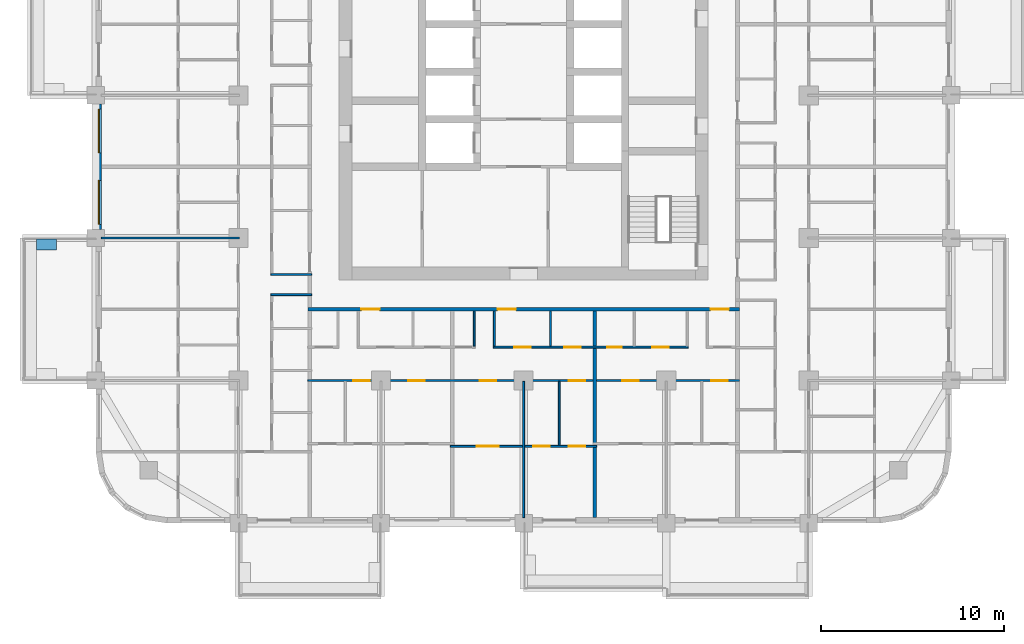
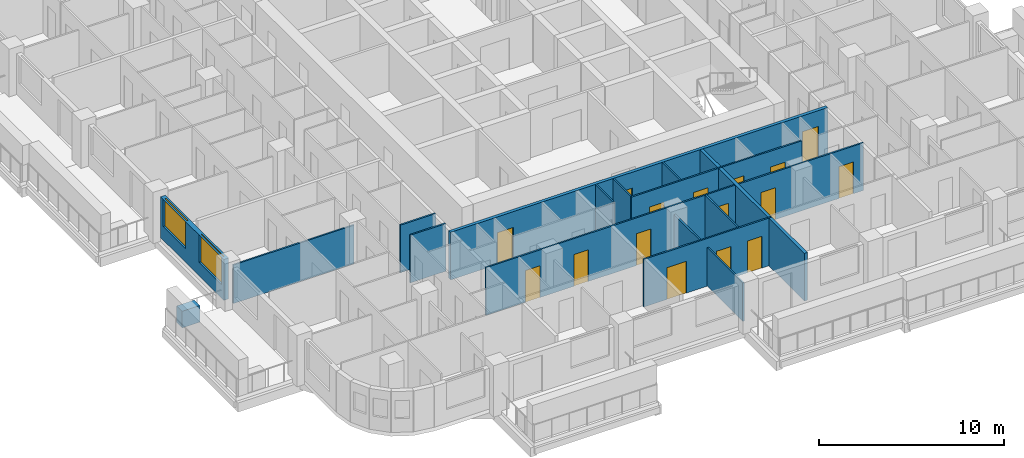
# One storey, part 4 of 18: 16 doors, 15 walls, 2 windows, 18 openings.
"""IFC4 building model written with IfcOpenShell, lengths in metres."""

from ifc_helpers import new_model, si_unit, direction, frame, frame_2d, origin, place, context, subcontext, project, spatial, rectangle, extrude, material, layer, layer_set, type_object, element, fill, save


model = new_model("IFC4")

# Units and contexts
model_context = context("Model", 3, precision=1e-05, world=origin(), true_north=direction((0.0, 1.0)))
body_context = subcontext(model_context, "Body", "Model", "MODEL_VIEW")
ifc_project = project(units=[si_unit("LENGTHUNIT", "METRE"), si_unit("AREAUNIT", "SQUARE_METRE"), si_unit("VOLUMEUNIT", "CUBIC_METRE"), si_unit("PLANEANGLEUNIT", "RADIAN"), si_unit("MASSUNIT", "GRAM", prefix="KILO")], contexts=[model_context])

# Site, building, storey
site_placement = place(None, origin())
site = spatial("IfcSite", under=ifc_project, at=site_placement, CompositionType="ELEMENT")
building_placement = place(site_placement, origin())
building = spatial("IfcBuilding", under=site, at=building_placement, Name="Ludao Terraces", CompositionType="ELEMENT")
storey_placement = place(building_placement, frame((0.0, 0.0, 75.0)))
storey = spatial("IfcBuildingStorey", under=building, at=storey_placement, Name="L20", CompositionType="ELEMENT", Elevation=75.0)

# Wall
ifc_material_1 = material(Name="Concrete C40", Category="concrete")
ifc_layer_1 = layer(ifc_material_1, 0.60009765625)
ifc_layer_set_1 = layer_set([ifc_layer_1], Name="ENV Planter trough 600")
wall_type_1 = type_object("IfcWallType", Name="ENV Planter trough 600", PredefinedType="USERDEFINED", material=ifc_layer_set_1)
wall_1_placement = place(storey_placement, frame((58.35009765625, 56.85009765625, 0.0), z_axis=(0.0, 0.0, 1.0), x_axis=(1.0, 0.0, 0.0)))
element("IfcWall", 1, at=wall_1_placement, inside=storey, type_object=wall_type_1, Name="PL-L20-W1-SB", ObjectType="PLANTER", PredefinedType="USERDEFINED", context=body_context, shape_type="SweptSolid", body=[
    extrude(rectangle(XDim=1.099853515625, YDim=0.60009765625, at=frame_2d((0.5498046875, 0.0))), origin(), (0.0, 0.0, 1.0), 1.10009765625),
])

# Wall, openings, windows
ifc_material_2 = material(Name="Granite cladding", Category="masonry")
ifc_layer_2 = layer(ifc_material_2, 0.0400390625, Category="stone")
ifc_material_3 = material(Name="Mineral wool")
ifc_layer_3 = layer(ifc_material_3, 0.06005859375)
ifc_layer_4 = layer(ifc_material_1, 0.199951171875, Category="concrete")
ifc_layer_set_2 = layer_set([ifc_layer_2, ifc_layer_3, ifc_layer_4], Name="ENV Stone-clad wall 300")
wall_type_2 = type_object("IfcWallType", Name="ENV Stone-clad wall 300", PredefinedType="SOLIDWALL", material=ifc_layer_set_2)
wall_2_placement = place(storey_placement, frame((61.75, 57.675048828125, 0.0), z_axis=(0.0, 0.0, 1.0), x_axis=(0.0, 1.0, 0.0)))
wall_2 = element("IfcWall", 2, at=wall_2_placement, inside=storey, type_object=wall_type_2, Name="EW-L20-W3", PredefinedType="SOLIDWALL", context=body_context, shape_type="SweptSolid", body=[
    extrude(rectangle(XDim=6.849853515625, YDim=0.300048828125, at=frame_2d((3.4248046875, 0.0))), origin(), (0.0, 0.0, 1.0), 2.699951171875),
])
opening_1_placement = place(wall_2_placement, frame((0.27490234375, 0.0, 0.89990234375)))
opening_1 = element("IfcOpeningElement", 3, at=opening_1_placement, cuts=wall_2, Name="Opening W1", PredefinedType="OPENING", context=body_context, shape_type="SweptSolid", body=[
    extrude(rectangle(XDim=2.39990234375, YDim=1.800048828125, at=frame_2d((1.199951171875, 0.89990234375))), frame((0.0, 0.16015625, 0.0), z_axis=(0.0, -1.0, 0.0), x_axis=(1.0, 0.0, 0.0)), (0.0, 0.0, 1.0), 0.320068359375),
])
opening_2_placement = place(wall_2_placement, frame((4.175048828125, 0.0, 0.89990234375)))
opening_2 = element("IfcOpeningElement", 4, at=opening_2_placement, cuts=wall_2, Name="Opening W1", PredefinedType="OPENING", context=body_context, shape_type="SweptSolid", body=[
    extrude(rectangle(XDim=2.39990234375, YDim=1.800048828125, at=frame_2d((1.199951171875, 0.89990234375))), frame((0.0, 0.16015625, 0.0), z_axis=(0.0, -1.0, 0.0), x_axis=(1.0, 0.0, 0.0)), (0.0, 0.0, 1.0), 0.320068359375),
])
ifc_material_4 = material(Name="Clear glass in aluminium frame", Category="aluminium")
ifc_layer_5 = layer(ifc_material_4, 0.06005859375)
ifc_layer_set_3 = layer_set([ifc_layer_5], Name="ENV Window W1 2400x1800")
window_type = type_object("IfcWindowType", Name="ENV Window W1 2400x1800", PartitioningType="DOUBLE_PANEL_VERTICAL", PredefinedType="WINDOW", material=ifc_layer_set_3)
window_1_placement = place(opening_1_placement, origin())
window_1 = element("IfcWindow", 5, at=window_1_placement, inside=storey, type_object=window_type, Name="W-L20-W3-1", OverallHeight=1.800048828125, OverallWidth=2.39990234375, PartitioningType="DOUBLE_PANEL_VERTICAL", PredefinedType="WINDOW", context=body_context, shape_type="SweptSolid", body=[
    extrude(rectangle(XDim=2.39990234375, YDim=1.800048828125, at=frame_2d((1.199951171875, 0.89990234375))), frame((0.0, 0.030029296875, 0.0), z_axis=(0.0, -1.0, 0.0), x_axis=(1.0, 0.0, 0.0)), (0.0, 0.0, 1.0), 0.06005859375),
])
fill(opening_1, window_1)
window_2_placement = place(opening_2_placement, origin())
window_2 = element("IfcWindow", 6, at=window_2_placement, inside=storey, type_object=window_type, Name="W-L20-W3-2", OverallHeight=1.800048828125, OverallWidth=2.39990234375, PartitioningType="DOUBLE_PANEL_VERTICAL", PredefinedType="WINDOW", context=body_context, shape_type="SweptSolid", body=[
    extrude(rectangle(XDim=2.39990234375, YDim=1.800048828125, at=frame_2d((1.199951171875, 0.89990234375))), frame((0.0, 0.030029296875, 0.0), z_axis=(0.0, -1.0, 0.0), x_axis=(1.0, 0.0, 0.0)), (0.0, 0.0, 1.0), 0.06005859375),
])
fill(opening_2, window_2)

# Wall, openings, doors
ifc_material_5 = material(Name="Autoclaved aerated concrete block B06 A3.5", Category="concrete")
ifc_layer_6 = layer(ifc_material_5, 0.199951171875)
ifc_layer_set_4 = layer_set([ifc_layer_6], Name="INT Entrance wall 200")
wall_type_3 = type_object("IfcWallType", Name="INT Entrance wall 200", PredefinedType="PARTITIONING", material=ifc_layer_set_4)
wall_3_placement = place(storey_placement, frame((73.2001953125, 53.300048828125, 0.0), z_axis=(0.0, 0.0, 1.0), x_axis=(1.0, 0.0, 0.0)))
wall_3 = element("IfcWall", 7, at=wall_3_placement, inside=storey, type_object=wall_type_3, Name="PW-L20-PW020", PredefinedType="PARTITIONING", context=body_context, shape_type="SweptSolid", body=[
    extrude(rectangle(XDim=23.599853515625, YDim=0.199951171875, at=frame_2d((11.7998046875, 0.0))), origin(), (0.0, 0.0, 1.0), 3.14990234375),
])
opening_3_placement = place(wall_3_placement, frame((2.9248046875, 0.0, 0.0)))
opening_3 = element("IfcOpeningElement", 8, at=opening_3_placement, cuts=wall_3, Name="Opening R06-048", PredefinedType="OPENING", context=body_context, shape_type="SweptSolid", body=[
    extrude(rectangle(XDim=1.0, YDim=2.10009765625, at=frame_2d((0.5, 1.050048828125))), frame((0.0, 0.10986328125, 0.0), z_axis=(0.0, -1.0, 0.0), x_axis=(1.0, 0.0, 0.0)), (0.0, 0.0, 1.0), 0.219970703125),
])
opening_4_placement = place(wall_3_placement, frame((10.375, 0.0, 0.0)))
opening_4 = element("IfcOpeningElement", 9, at=opening_4_placement, cuts=wall_3, Name="Opening R06-049", PredefinedType="OPENING", context=body_context, shape_type="SweptSolid", body=[
    extrude(rectangle(XDim=1.0, YDim=2.10009765625, at=frame_2d((0.5, 1.050048828125))), frame((0.0, 0.10986328125, 0.0), z_axis=(0.0, -1.0, 0.0), x_axis=(1.0, 0.0, 0.0)), (0.0, 0.0, 1.0), 0.219970703125),
])
opening_5_placement = place(wall_3_placement, frame((22.02490234375, 0.0, 0.0)))
opening_5 = element("IfcOpeningElement", 10, at=opening_5_placement, cuts=wall_3, Name="Opening R06-050", PredefinedType="OPENING", context=body_context, shape_type="SweptSolid", body=[
    extrude(rectangle(XDim=1.0, YDim=2.10009765625, at=frame_2d((0.5, 1.050048828125))), frame((0.0, 0.10986328125, 0.0), z_axis=(0.0, -1.0, 0.0), x_axis=(1.0, 0.0, 0.0)), (0.0, 0.0, 1.0), 0.219970703125),
])
ifc_material_6 = material(Name="Steel Q235", Category="steel")
door_type_1 = type_object("IfcDoorType", Name="INT Flat entrance door 1000", OperationType="SINGLE_SWING_LEFT", PredefinedType="DOOR", material=ifc_material_6)
door_1_placement = place(opening_3_placement, origin())
door_1 = element("IfcDoor", 11, at=door_1_placement, inside=storey, type_object=door_type_1, Name="DOOR 048", OperationType="SINGLE_SWING_LEFT", OverallHeight=2.10009765625, OverallWidth=1.0, PredefinedType="DOOR", context=body_context, shape_type="SweptSolid", body=[
    extrude(rectangle(XDim=1.0, YDim=2.10009765625, at=frame_2d((0.5, 1.050048828125))), frame((0.0, 0.02490234375, 0.0), z_axis=(0.0, -1.0, 0.0), x_axis=(1.0, 0.0, 0.0)), (0.0, 0.0, 1.0), 0.050048828125),
])
fill(opening_3, door_1)
door_2_placement = place(opening_4_placement, origin())
door_2 = element("IfcDoor", 12, at=door_2_placement, inside=storey, type_object=door_type_1, Name="DOOR 049", OperationType="SINGLE_SWING_LEFT", OverallHeight=2.10009765625, OverallWidth=1.0, PredefinedType="DOOR", context=body_context, shape_type="SweptSolid", body=[
    extrude(rectangle(XDim=1.0, YDim=2.10009765625, at=frame_2d((0.5, 1.050048828125))), frame((0.0, 0.02490234375, 0.0), z_axis=(0.0, -1.0, 0.0), x_axis=(1.0, 0.0, 0.0)), (0.0, 0.0, 1.0), 0.050048828125),
])
fill(opening_4, door_2)
door_3_placement = place(opening_5_placement, origin())
door_3 = element("IfcDoor", 13, at=door_3_placement, inside=storey, type_object=door_type_1, Name="DOOR 050", OperationType="SINGLE_SWING_LEFT", OverallHeight=2.10009765625, OverallWidth=1.0, PredefinedType="DOOR", context=body_context, shape_type="SweptSolid", body=[
    extrude(rectangle(XDim=1.0, YDim=2.10009765625, at=frame_2d((0.5, 1.050048828125))), frame((0.0, 0.02490234375, 0.0), z_axis=(0.0, -1.0, 0.0), x_axis=(1.0, 0.0, 0.0)), (0.0, 0.0, 1.0), 0.050048828125),
])
fill(opening_5, door_3)

ifc_material_7 = material(Name="Gypsum plasterboard", Category="gypsum")
ifc_layer_7 = layer(ifc_material_7, 0.012451171875, Category="gypsum")
ifc_layer_8 = layer(ifc_material_3, 0.06005859375, Name="insulation")
ifc_layer_9 = layer(ifc_material_6, 0.014892578125, Name="stud")
ifc_layer_10 = layer(ifc_material_7, 0.012451171875, Category="gypsum")
ifc_layer_set_5 = layer_set([ifc_layer_7, ifc_layer_8, ifc_layer_9, ifc_layer_10], Name="INT Partition 100")
wall_type_4 = type_object("IfcWallType", Name="INT Partition 100", PredefinedType="PARTITIONING", material=ifc_layer_set_5)
wall_4_placement = place(storey_placement, frame((81.0, 45.800048828125, 0.0), z_axis=(0.0, 0.0, 1.0), x_axis=(1.0, 0.0, 0.0)))
wall_4 = element("IfcWall", 14, at=wall_4_placement, inside=storey, type_object=wall_type_4, Name="PW-L20-PW002", PredefinedType="PARTITIONING", context=body_context, shape_type="SweptSolid", body=[
    extrude(rectangle(XDim=8.0, YDim=0.10009765625, at=frame_2d((4.0, 0.0))), origin(), (0.0, 0.0, 1.0), 3.14990234375),
])
opening_6_placement = place(wall_4_placement, frame((1.4501953125, 0.0, 0.0)))
opening_6 = element("IfcOpeningElement", 15, at=opening_6_placement, cuts=wall_4, Name="Opening R06-007", PredefinedType="OPENING", context=body_context, shape_type="SweptSolid", body=[
    extrude(rectangle(XDim=1.199951171875, YDim=2.10009765625, at=frame_2d((0.60009765625, 1.050048828125))), frame((0.0, 0.06005859375, 0.0), z_axis=(0.0, -1.0, 0.0), x_axis=(1.0, 0.0, 0.0)), (0.0, 0.0, 1.0), 0.1201171875),
])
opening_7_placement = place(wall_4_placement, frame((4.525146484375, 0.0, 0.0)))
opening_7 = element("IfcOpeningElement", 16, at=opening_7_placement, cuts=wall_4, Name="Opening R06-008", PredefinedType="OPENING", context=body_context, shape_type="SweptSolid", body=[
    extrude(rectangle(XDim=0.89990234375, YDim=2.10009765625, at=frame_2d((0.449951171875, 1.050048828125))), frame((0.0, 0.06005859375, 0.0), z_axis=(0.0, -1.0, 0.0), x_axis=(1.0, 0.0, 0.0)), (0.0, 0.0, 1.0), 0.1201171875),
])
opening_8_placement = place(wall_4_placement, frame((6.47509765625, 0.0, 0.0)))
opening_8 = element("IfcOpeningElement", 17, at=opening_8_placement, cuts=wall_4, Name="Opening R06-009", PredefinedType="OPENING", context=body_context, shape_type="SweptSolid", body=[
    extrude(rectangle(XDim=0.89990234375, YDim=2.10009765625, at=frame_2d((0.449951171875, 1.050048828125))), frame((0.0, 0.06005859375, 0.0), z_axis=(0.0, -1.0, 0.0), x_axis=(1.0, 0.0, 0.0)), (0.0, 0.0, 1.0), 0.1201171875),
])
ifc_material_8 = material(Name="Timber door leaf", Category="wood")
door_type_2 = type_object("IfcDoorType", Name="INT Bathroom door 900", OperationType="SINGLE_SWING_LEFT", PredefinedType="DOOR", material=ifc_material_8)
door_4_placement = place(opening_7_placement, origin())
door_4 = element("IfcDoor", 18, at=door_4_placement, inside=storey, type_object=door_type_2, Name="DOOR 008", OperationType="SINGLE_SWING_LEFT", OverallHeight=2.10009765625, OverallWidth=0.89990234375, PredefinedType="DOOR", context=body_context, shape_type="SweptSolid", body=[
    extrude(rectangle(XDim=0.89990234375, YDim=2.10009765625, at=frame_2d((0.449951171875, 1.050048828125))), frame((0.0, 0.02490234375, 0.0), z_axis=(0.0, -1.0, 0.0), x_axis=(1.0, 0.0, 0.0)), (0.0, 0.0, 1.0), 0.050048828125),
])
fill(opening_7, door_4)
door_type_3 = type_object("IfcDoorType", Name="INT Double door 1200", OperationType="DOUBLE_DOOR_SINGLE_SWING", PredefinedType="DOOR", material=ifc_material_8)
door_5_placement = place(opening_6_placement, origin())
door_5 = element("IfcDoor", 19, at=door_5_placement, inside=storey, type_object=door_type_3, Name="DOOR 007", OperationType="DOUBLE_DOOR_SINGLE_SWING", OverallHeight=2.10009765625, OverallWidth=1.199951171875, PredefinedType="DOOR", context=body_context, shape_type="SweptSolid", body=[
    extrude(rectangle(XDim=1.199951171875, YDim=2.10009765625, at=frame_2d((0.60009765625, 1.050048828125))), frame((0.0, 0.02490234375, 0.0), z_axis=(0.0, -1.0, 0.0), x_axis=(1.0, 0.0, 0.0)), (0.0, 0.0, 1.0), 0.050048828125),
])
fill(opening_6, door_5)
door_type_4 = type_object("IfcDoorType", Name="INT Room door 900", OperationType="SINGLE_SWING_LEFT", PredefinedType="DOOR", material=ifc_material_8)
door_6_placement = place(opening_8_placement, origin())
door_6 = element("IfcDoor", 20, at=door_6_placement, inside=storey, type_object=door_type_4, Name="DOOR 009", OperationType="SINGLE_SWING_RIGHT", OverallHeight=2.10009765625, OverallWidth=0.89990234375, PredefinedType="DOOR", context=body_context, shape_type="SweptSolid", body=[
    extrude(rectangle(XDim=0.89990234375, YDim=2.10009765625, at=frame_2d((0.449951171875, 1.050048828125))), frame((0.0, 0.02490234375, 0.0), z_axis=(0.0, -1.0, 0.0), x_axis=(1.0, 0.0, 0.0)), (0.0, 0.0, 1.0), 0.050048828125),
])
fill(opening_8, door_6)

wall_5_placement = place(storey_placement, frame((73.2001953125, 49.39990234375, 0.0), z_axis=(0.0, 0.0, 1.0), x_axis=(1.0, 0.0, 0.0)))
wall_5 = element("IfcWall", 21, at=wall_5_placement, inside=storey, type_object=wall_type_4, Name="PW-L20-PW009", PredefinedType="PARTITIONING", context=body_context, shape_type="SweptSolid", body=[
    extrude(rectangle(XDim=23.599853515625, YDim=0.10009765625, at=frame_2d((11.7998046875, 0.0))), origin(), (0.0, 0.0, 1.0), 3.14990234375),
])
opening_9_placement = place(wall_5_placement, frame((2.474853515625, 0.0, 0.0)))
opening_9 = element("IfcOpeningElement", 22, at=opening_9_placement, cuts=wall_5, Name="Opening R06-024", PredefinedType="OPENING", context=body_context, shape_type="SweptSolid", body=[
    extrude(rectangle(XDim=0.89990234375, YDim=2.10009765625, at=frame_2d((0.449951171875, 1.050048828125))), frame((0.0, 0.06005859375, 0.0), z_axis=(0.0, -1.0, 0.0), x_axis=(1.0, 0.0, 0.0)), (0.0, 0.0, 1.0), 0.1201171875),
])
opening_10_placement = place(wall_5_placement, frame((5.5, 0.0, 0.0)))
opening_10 = element("IfcOpeningElement", 23, at=opening_10_placement, cuts=wall_5, Name="Opening R06-025", PredefinedType="OPENING", context=body_context, shape_type="SweptSolid", body=[
    extrude(rectangle(XDim=0.89990234375, YDim=2.10009765625, at=frame_2d((0.449951171875, 1.050048828125))), frame((0.0, 0.06005859375, 0.0), z_axis=(0.0, -1.0, 0.0), x_axis=(1.0, 0.0, 0.0)), (0.0, 0.0, 1.0), 0.1201171875),
])
opening_11_placement = place(wall_5_placement, frame((9.39990234375, 0.0, 0.0)))
opening_11 = element("IfcOpeningElement", 24, at=opening_11_placement, cuts=wall_5, Name="Opening R06-026", PredefinedType="OPENING", context=body_context, shape_type="SweptSolid", body=[
    extrude(rectangle(XDim=0.89990234375, YDim=2.10009765625, at=frame_2d((0.449951171875, 1.050048828125))), frame((0.0, 0.06005859375, 0.0), z_axis=(0.0, -1.0, 0.0), x_axis=(1.0, 0.0, 0.0)), (0.0, 0.0, 1.0), 0.1201171875),
])
opening_12_placement = place(wall_5_placement, frame((14.27490234375, 0.0, 0.0)))
opening_12 = element("IfcOpeningElement", 25, at=opening_12_placement, cuts=wall_5, Name="Opening R06-027", PredefinedType="OPENING", context=body_context, shape_type="SweptSolid", body=[
    extrude(rectangle(XDim=0.89990234375, YDim=2.10009765625, at=frame_2d((0.449951171875, 1.050048828125))), frame((0.0, 0.06005859375, 0.0), z_axis=(0.0, -1.0, 0.0), x_axis=(1.0, 0.0, 0.0)), (0.0, 0.0, 1.0), 0.1201171875),
])
opening_13_placement = place(wall_5_placement, frame((17.199951171875, 0.0, 0.0)))
opening_13 = element("IfcOpeningElement", 26, at=opening_13_placement, cuts=wall_5, Name="Opening R06-028", PredefinedType="OPENING", context=body_context, shape_type="SweptSolid", body=[
    extrude(rectangle(XDim=0.89990234375, YDim=2.10009765625, at=frame_2d((0.449951171875, 1.050048828125))), frame((0.0, 0.06005859375, 0.0), z_axis=(0.0, -1.0, 0.0), x_axis=(1.0, 0.0, 0.0)), (0.0, 0.0, 1.0), 0.1201171875),
])
opening_14_placement = place(wall_5_placement, frame((22.074951171875, 0.0, 0.0)))
opening_14 = element("IfcOpeningElement", 27, at=opening_14_placement, cuts=wall_5, Name="Opening R06-029", PredefinedType="OPENING", context=body_context, shape_type="SweptSolid", body=[
    extrude(rectangle(XDim=0.89990234375, YDim=2.10009765625, at=frame_2d((0.449951171875, 1.050048828125))), frame((0.0, 0.06005859375, 0.0), z_axis=(0.0, -1.0, 0.0), x_axis=(1.0, 0.0, 0.0)), (0.0, 0.0, 1.0), 0.1201171875),
])
door_7_placement = place(opening_9_placement, origin())
door_7 = element("IfcDoor", 28, at=door_7_placement, inside=storey, type_object=door_type_4, Name="DOOR 024", OperationType="SINGLE_SWING_RIGHT", OverallHeight=2.10009765625, OverallWidth=0.89990234375, PredefinedType="DOOR", context=body_context, shape_type="SweptSolid", body=[
    extrude(rectangle(XDim=0.89990234375, YDim=2.10009765625, at=frame_2d((0.449951171875, 1.050048828125))), frame((0.0, 0.02490234375, 0.0), z_axis=(0.0, -1.0, 0.0), x_axis=(1.0, 0.0, 0.0)), (0.0, 0.0, 1.0), 0.050048828125),
])
fill(opening_9, door_7)
door_8_placement = place(opening_10_placement, origin())
door_8 = element("IfcDoor", 29, at=door_8_placement, inside=storey, type_object=door_type_4, Name="DOOR 025", OperationType="SINGLE_SWING_RIGHT", OverallHeight=2.10009765625, OverallWidth=0.89990234375, PredefinedType="DOOR", context=body_context, shape_type="SweptSolid", body=[
    extrude(rectangle(XDim=0.89990234375, YDim=2.10009765625, at=frame_2d((0.449951171875, 1.050048828125))), frame((0.0, 0.02490234375, 0.0), z_axis=(0.0, -1.0, 0.0), x_axis=(1.0, 0.0, 0.0)), (0.0, 0.0, 1.0), 0.050048828125),
])
fill(opening_10, door_8)
door_9_placement = place(opening_11_placement, origin())
door_9 = element("IfcDoor", 30, at=door_9_placement, inside=storey, type_object=door_type_4, Name="DOOR 026", OperationType="SINGLE_SWING_RIGHT", OverallHeight=2.10009765625, OverallWidth=0.89990234375, PredefinedType="DOOR", context=body_context, shape_type="SweptSolid", body=[
    extrude(rectangle(XDim=0.89990234375, YDim=2.10009765625, at=frame_2d((0.449951171875, 1.050048828125))), frame((0.0, 0.02490234375, 0.0), z_axis=(0.0, -1.0, 0.0), x_axis=(1.0, 0.0, 0.0)), (0.0, 0.0, 1.0), 0.050048828125),
])
fill(opening_11, door_9)
door_10_placement = place(opening_12_placement, origin())
door_10 = element("IfcDoor", 31, at=door_10_placement, inside=storey, type_object=door_type_4, Name="DOOR 027", OperationType="SINGLE_SWING_LEFT", OverallHeight=2.10009765625, OverallWidth=0.89990234375, PredefinedType="DOOR", context=body_context, shape_type="SweptSolid", body=[
    extrude(rectangle(XDim=0.89990234375, YDim=2.10009765625, at=frame_2d((0.449951171875, 1.050048828125))), frame((0.0, 0.02490234375, 0.0), z_axis=(0.0, -1.0, 0.0), x_axis=(1.0, 0.0, 0.0)), (0.0, 0.0, 1.0), 0.050048828125),
])
fill(opening_12, door_10)
door_11_placement = place(opening_13_placement, origin())
door_11 = element("IfcDoor", 32, at=door_11_placement, inside=storey, type_object=door_type_4, Name="DOOR 028", OperationType="SINGLE_SWING_LEFT", OverallHeight=2.10009765625, OverallWidth=0.89990234375, PredefinedType="DOOR", context=body_context, shape_type="SweptSolid", body=[
    extrude(rectangle(XDim=0.89990234375, YDim=2.10009765625, at=frame_2d((0.449951171875, 1.050048828125))), frame((0.0, 0.02490234375, 0.0), z_axis=(0.0, -1.0, 0.0), x_axis=(1.0, 0.0, 0.0)), (0.0, 0.0, 1.0), 0.050048828125),
])
fill(opening_13, door_11)
door_12_placement = place(opening_14_placement, origin())
door_12 = element("IfcDoor", 33, at=door_12_placement, inside=storey, type_object=door_type_4, Name="DOOR 029", OperationType="SINGLE_SWING_LEFT", OverallHeight=2.10009765625, OverallWidth=0.89990234375, PredefinedType="DOOR", context=body_context, shape_type="SweptSolid", body=[
    extrude(rectangle(XDim=0.89990234375, YDim=2.10009765625, at=frame_2d((0.449951171875, 1.050048828125))), frame((0.0, 0.02490234375, 0.0), z_axis=(0.0, -1.0, 0.0), x_axis=(1.0, 0.0, 0.0)), (0.0, 0.0, 1.0), 0.050048828125),
])
fill(opening_14, door_12)

wall_6_placement = place(storey_placement, frame((83.35009765625, 51.22998046875, 0.0), z_axis=(0.0, 0.0, 1.0), x_axis=(1.0, 0.0, 0.0)))
wall_6 = element("IfcWall", 34, at=wall_6_placement, inside=storey, type_object=wall_type_4, Name="PW-L20-PW015", PredefinedType="PARTITIONING", context=body_context, shape_type="SweptSolid", body=[
    extrude(rectangle(XDim=10.64990234375, YDim=0.10009765625, at=frame_2d((5.324951171875, 0.0))), origin(), (0.0, 0.0, 1.0), 3.14990234375),
])
opening_15_placement = place(wall_6_placement, frame((1.135009765625, 0.0, 0.0)))
opening_15 = element("IfcOpeningElement", 35, at=opening_15_placement, cuts=wall_6, Name="Opening R06-037", PredefinedType="OPENING", context=body_context, shape_type="SweptSolid", body=[
    extrude(rectangle(XDim=0.89990234375, YDim=2.10009765625, at=frame_2d((0.449951171875, 1.050048828125))), frame((0.0, 0.06005859375, 0.0), z_axis=(0.0, -1.0, 0.0), x_axis=(1.0, 0.0, 0.0)), (0.0, 0.0, 1.0), 0.1201171875),
])
opening_16_placement = place(wall_6_placement, frame((3.885009765625, 0.0, 0.0)))
opening_16 = element("IfcOpeningElement", 36, at=opening_16_placement, cuts=wall_6, Name="Opening R06-038", PredefinedType="OPENING", context=body_context, shape_type="SweptSolid", body=[
    extrude(rectangle(XDim=0.89990234375, YDim=2.10009765625, at=frame_2d((0.449951171875, 1.050048828125))), frame((0.0, 0.06005859375, 0.0), z_axis=(0.0, -1.0, 0.0), x_axis=(1.0, 0.0, 0.0)), (0.0, 0.0, 1.0), 0.1201171875),
])
opening_17_placement = place(wall_6_placement, frame((6.22509765625, 0.0, 0.0)))
opening_17 = element("IfcOpeningElement", 37, at=opening_17_placement, cuts=wall_6, Name="Opening R06-039", PredefinedType="OPENING", context=body_context, shape_type="SweptSolid", body=[
    extrude(rectangle(XDim=0.800048828125, YDim=2.10009765625, at=frame_2d((0.39990234375, 1.050048828125))), frame((0.0, 0.06005859375, 0.0), z_axis=(0.0, -1.0, 0.0), x_axis=(1.0, 0.0, 0.0)), (0.0, 0.0, 1.0), 0.1201171875),
])
opening_18_placement = place(wall_6_placement, frame((8.699951171875, 0.0, 0.0)))
opening_18 = element("IfcOpeningElement", 38, at=opening_18_placement, cuts=wall_6, Name="Opening R06-040", PredefinedType="OPENING", context=body_context, shape_type="SweptSolid", body=[
    extrude(rectangle(XDim=0.89990234375, YDim=2.10009765625, at=frame_2d((0.449951171875, 1.050048828125))), frame((0.0, 0.06005859375, 0.0), z_axis=(0.0, -1.0, 0.0), x_axis=(1.0, 0.0, 0.0)), (0.0, 0.0, 1.0), 0.1201171875),
])
door_13_placement = place(opening_16_placement, origin())
door_13 = element("IfcDoor", 39, at=door_13_placement, inside=storey, type_object=door_type_2, Name="DOOR 038", OperationType="SINGLE_SWING_RIGHT", OverallHeight=2.10009765625, OverallWidth=0.89990234375, PredefinedType="DOOR", context=body_context, shape_type="SweptSolid", body=[
    extrude(rectangle(XDim=0.89990234375, YDim=2.10009765625, at=frame_2d((0.449951171875, 1.050048828125))), frame((0.0, 0.02490234375, 0.0), z_axis=(0.0, -1.0, 0.0), x_axis=(1.0, 0.0, 0.0)), (0.0, 0.0, 1.0), 0.050048828125),
])
fill(opening_16, door_13)
door_14_placement = place(opening_15_placement, origin())
door_14 = element("IfcDoor", 40, at=door_14_placement, inside=storey, type_object=door_type_4, Name="DOOR 037", OperationType="SINGLE_SWING_LEFT", OverallHeight=2.10009765625, OverallWidth=0.89990234375, PredefinedType="DOOR", context=body_context, shape_type="SweptSolid", body=[
    extrude(rectangle(XDim=0.89990234375, YDim=2.10009765625, at=frame_2d((0.449951171875, 1.050048828125))), frame((0.0, 0.02490234375, 0.0), z_axis=(0.0, -1.0, 0.0), x_axis=(1.0, 0.0, 0.0)), (0.0, 0.0, 1.0), 0.050048828125),
])
fill(opening_15, door_14)
door_15_placement = place(opening_18_placement, origin())
door_15 = element("IfcDoor", 41, at=door_15_placement, inside=storey, type_object=door_type_4, Name="DOOR 040", OperationType="SINGLE_SWING_LEFT", OverallHeight=2.10009765625, OverallWidth=0.89990234375, PredefinedType="DOOR", context=body_context, shape_type="SweptSolid", body=[
    extrude(rectangle(XDim=0.89990234375, YDim=2.10009765625, at=frame_2d((0.449951171875, 1.050048828125))), frame((0.0, 0.02490234375, 0.0), z_axis=(0.0, -1.0, 0.0), x_axis=(1.0, 0.0, 0.0)), (0.0, 0.0, 1.0), 0.050048828125),
])
fill(opening_18, door_15)
door_type_5 = type_object("IfcDoorType", Name="INT Store door 800", OperationType="SINGLE_SWING_LEFT", PredefinedType="DOOR", material=ifc_material_8)
door_16_placement = place(opening_17_placement, origin())
door_16 = element("IfcDoor", 42, at=door_16_placement, inside=storey, type_object=door_type_5, Name="DOOR 039", OperationType="SINGLE_SWING_LEFT", OverallHeight=2.10009765625, OverallWidth=0.800048828125, PredefinedType="DOOR", context=body_context, shape_type="SweptSolid", body=[
    extrude(rectangle(XDim=0.800048828125, YDim=2.10009765625, at=frame_2d((0.39990234375, 1.050048828125))), frame((0.0, 0.02490234375, 0.0), z_axis=(0.0, -1.0, 0.0), x_axis=(1.0, 0.0, 0.0)), (0.0, 0.0, 1.0), 0.050048828125),
])
fill(opening_17, door_16)

# Walls
for number, where, z_axis, x_axis, name in (
    (43, (71.18017578125, 54.10009765625, 0.0), (0.0, 0.0, 1.0), (1.0, 0.0, 0.0), "PW-L20-PW023"),
    (44, (71.18017578125, 55.199951171875, 0.0), (0.0, 0.0, 1.0), (1.0, 0.0, 0.0), "PW-L20-PW025"),
):
    element("IfcWall", number, at=place(storey_placement, frame(where, z_axis=z_axis, x_axis=x_axis)), inside=storey, type_object=wall_type_4, Name=name, PredefinedType="PARTITIONING", context=body_context, shape_type="SweptSolid", body=[
        extrude(rectangle(XDim=2.219970703125, YDim=0.10009765625, at=frame_2d((1.10986328125, 0.0))), origin(), (0.0, 0.0, 1.0), 3.14990234375),
    ])
wall_7_placement = place(storey_placement, frame((61.900146484375, 57.199951171875, 0.0), z_axis=(0.0, 0.0, 1.0), x_axis=(1.0, 0.0, 0.0)))
element("IfcWall", 45, at=wall_7_placement, inside=storey, type_object=wall_type_4, Name="PW-L20-PW027", PredefinedType="PARTITIONING", context=body_context, shape_type="SweptSolid", body=[
    extrude(rectangle(XDim=7.550048828125, YDim=0.10009765625, at=frame_2d((3.77490234375, 0.0))), origin(), (0.0, 0.0, 1.0), 2.550048828125),
])
for number, where, z_axis, x_axis, name in (
    (46, (82.300048828125, 51.280029296875, 0.0), (0.0, 0.0, 1.0), (0.0, 1.0, 0.0), "PW-L20-PW100"),
    (47, (83.39990234375, 51.280029296875, 0.0), (0.0, 0.0, 1.0), (0.0, 1.0, 0.0), "PW-L20-PW101"),
):
    element("IfcWall", number, at=place(storey_placement, frame(where, z_axis=z_axis, x_axis=x_axis)), inside=storey, type_object=wall_type_4, Name=name, PredefinedType="PARTITIONING", context=body_context, shape_type="SweptSolid", body=[
        extrude(rectangle(XDim=1.920166015625, YDim=0.10009765625, at=frame_2d((0.9599609375, 0.0))), origin(), (0.0, 0.0, 1.0), 3.14990234375),
    ])
wall_8_placement = place(storey_placement, frame((85.0, 41.900146484375, 0.0), z_axis=(0.0, 0.0, 1.0), x_axis=(0.0, 1.0, 0.0)))
element("IfcWall", 48, at=wall_8_placement, inside=storey, type_object=wall_type_4, Name="PW-L20-PW102", PredefinedType="PARTITIONING", context=body_context, shape_type="SweptSolid", body=[
    extrude(rectangle(XDim=7.449951171875, YDim=0.10009765625, at=frame_2d((3.72509765625, 0.0))), origin(), (0.0, 0.0, 1.0), 2.550048828125),
])
wall_9_placement = place(storey_placement, frame((86.469970703125, 51.280029296875, 0.0), z_axis=(0.0, 0.0, 1.0), x_axis=(0.0, 1.0, 0.0)))
element("IfcWall", 49, at=wall_9_placement, inside=storey, type_object=wall_type_4, Name="PW-L20-PW105", PredefinedType="PARTITIONING", context=body_context, shape_type="SweptSolid", body=[
    extrude(rectangle(XDim=1.920166015625, YDim=0.10009765625, at=frame_2d((0.9599609375, 0.0))), origin(), (0.0, 0.0, 1.0), 3.14990234375),
])
wall_10_placement = place(storey_placement, frame((86.949951171875, 45.85009765625, 0.0), z_axis=(0.0, 0.0, 1.0), x_axis=(0.0, 1.0, 0.0)))
element("IfcWall", 50, at=wall_10_placement, inside=storey, type_object=wall_type_4, Name="PW-L20-PW106", PredefinedType="PARTITIONING", context=body_context, shape_type="SweptSolid", body=[
    extrude(rectangle(XDim=3.5, YDim=0.10009765625, at=frame_2d((1.75, 0.0))), origin(), (0.0, 0.0, 1.0), 3.14990234375),
])
ifc_layer_11 = layer(ifc_material_5, 0.199951171875)
ifc_layer_set_6 = layer_set([ifc_layer_11], Name="INT Party wall 200")
wall_type_5 = type_object("IfcWallType", Name="INT Party wall 200", PredefinedType="PARTITIONING", material=ifc_layer_set_6)
wall_11_placement = place(storey_placement, frame((88.89990234375, 41.900146484375, 0.0), z_axis=(0.0, 0.0, 1.0), x_axis=(0.0, 1.0, 0.0)))
element("IfcWall", 51, at=wall_11_placement, inside=storey, type_object=wall_type_5, Name="PW-L20-PW107", PredefinedType="PARTITIONING", context=body_context, shape_type="SweptSolid", body=[
    extrude(rectangle(XDim=11.300048828125, YDim=0.199951171875, at=frame_2d((5.64990234375, 0.0))), origin(), (0.0, 0.0, 1.0), 3.14990234375),
])

save(model, "model.ifc")
